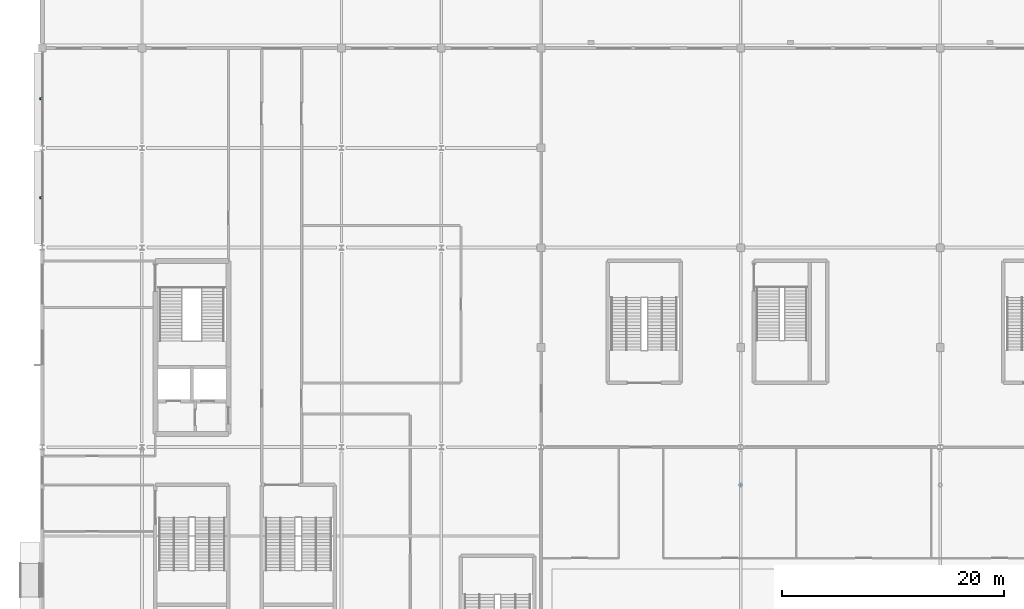
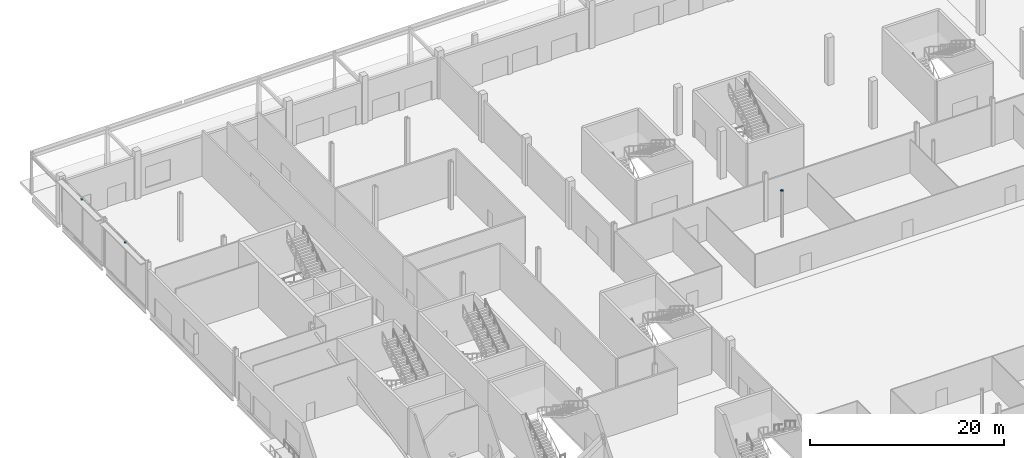
# One storey, part 47 of 84: 3 discrete accessories.
"""IFC4 building model written with IfcOpenShell, lengths in metres."""

from ifc_helpers import new_model, si_unit, direction, frame, origin, origin_2d, place, context, subcontext, project, spatial, polyline, rectangle, outline, extrude, material, layer, layer_set, type_object, element, save


model = new_model("IFC4")

# Units and contexts
model_context = context("Model", 3, precision=1e-05, world=origin(), true_north=direction((0.0, 1.0)))
body_context = subcontext(model_context, "Body", "Model", "MODEL_VIEW")
ifc_project = project(units=[si_unit("LENGTHUNIT", "METRE"), si_unit("AREAUNIT", "SQUARE_METRE"), si_unit("VOLUMEUNIT", "CUBIC_METRE"), si_unit("PLANEANGLEUNIT", "RADIAN"), si_unit("MASSUNIT", "GRAM", prefix="KILO")], contexts=[model_context])

# Site, building, storey
site_placement = place(None, origin())
site = spatial("IfcSite", under=ifc_project, at=site_placement, CompositionType="ELEMENT")
building_placement = place(site_placement, origin())
building = spatial("IfcBuilding", under=site, at=building_placement, Name="Kisiwana Market Hall", CompositionType="ELEMENT")
storey_placement = place(building_placement, origin())
storey = spatial("IfcBuildingStorey", under=building, at=storey_placement, Name="L00", CompositionType="ELEMENT", Elevation=0.0)

# Discrete accessories
ifc_material_1 = material(Name="Steel S355", Category="steel")
discrete_accessory_type_1 = type_object("IfcDiscreteAccessoryType", Name="ACC-BRACKET-STL", PredefinedType="BRACKET", material=ifc_material_1)
for number, where, z_axis, x_axis, name in (
    (1, (-0.110107421875, 106.507080078125, 5.5400390625), (0.0, 0.0, 1.0), (0.0, 1.0, 0.0), "Sunshade steel bracket BRK-001"),
    (2, (-0.110107421875, 115.426513671875, 5.5400390625), (0.0, 0.0, 1.0), (0.0, 1.0, 0.0), "Sunshade steel bracket BRK-002"),
):
    element("IfcDiscreteAccessory", number, at=place(storey_placement, frame(where, z_axis=z_axis, x_axis=x_axis)), inside=storey, type_object=discrete_accessory_type_1, Name=name, PredefinedType="BRACKET", context=body_context, shape_type="SweptSolid", body=[
        extrude(rectangle(XDim=0.179931640625, YDim=0.239990234375, at=origin_2d()), origin(), (0.0, 0.0, 1.0), 0.179931640625),
    ])
ifc_material_2 = material(Name="Steel S355", Category="steel")
ifc_layer = layer(ifc_material_2, 0.011962890625)
ifc_layer_set = layer_set([ifc_layer], Name="ACC-ENDCAP-STL")
discrete_accessory_type_2 = type_object("IfcDiscreteAccessoryType", Name="ACC-ENDCAP-STL", PredefinedType="USERDEFINED", material=ifc_layer_set)
discrete_accessory_placement = place(storey_placement, frame((0.0, 0.0, 5.800048828125)))
element("IfcDiscreteAccessory", 3, at=discrete_accessory_placement, inside=storey, type_object=discrete_accessory_type_2, Name="End cap plate EC-0116", ObjectType="End cap plate", PredefinedType="USERDEFINED", context=body_context, shape_type="SweptSolid", body=[
    extrude(outline(polyline([(63.161865234375, 80.60009765625), (63.156494140625, 80.641845703125), (63.140380859375, 80.680908203125), (63.114501953125, 80.714599609375), (63.0810546875, 80.740234375), (63.0419921875, 80.75634765625), (63.0, 80.761962890625), (62.9580078125, 80.75634765625), (62.9189453125, 80.740234375), (62.885498046875, 80.714599609375), (62.859619140625, 80.680908203125), (62.843505859375, 80.641845703125), (62.838134765625, 80.60009765625), (62.843505859375, 80.55810546875), (62.859619140625, 80.51904296875), (62.885498046875, 80.485595703125), (62.9189453125, 80.459716796875), (62.9580078125, 80.443603515625), (63.0, 80.43798828125), (63.0419921875, 80.443603515625), (63.0810546875, 80.459716796875), (63.114501953125, 80.485595703125), (63.140380859375, 80.51904296875), (63.156494140625, 80.55810546875), (63.161865234375, 80.60009765625)])), origin(), (0.0, 0.0, 1.0), 0.011962890625),
])

save(model, "model.ifc")
